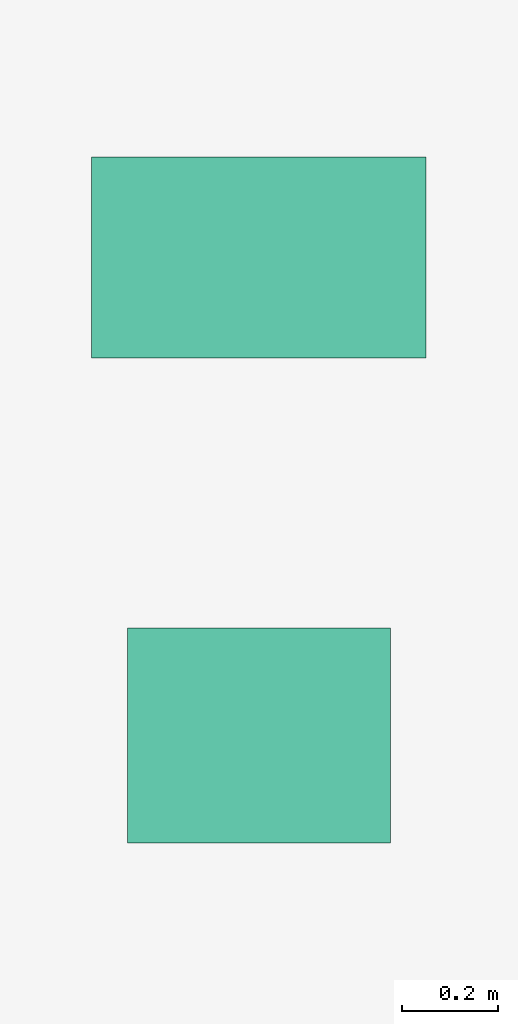
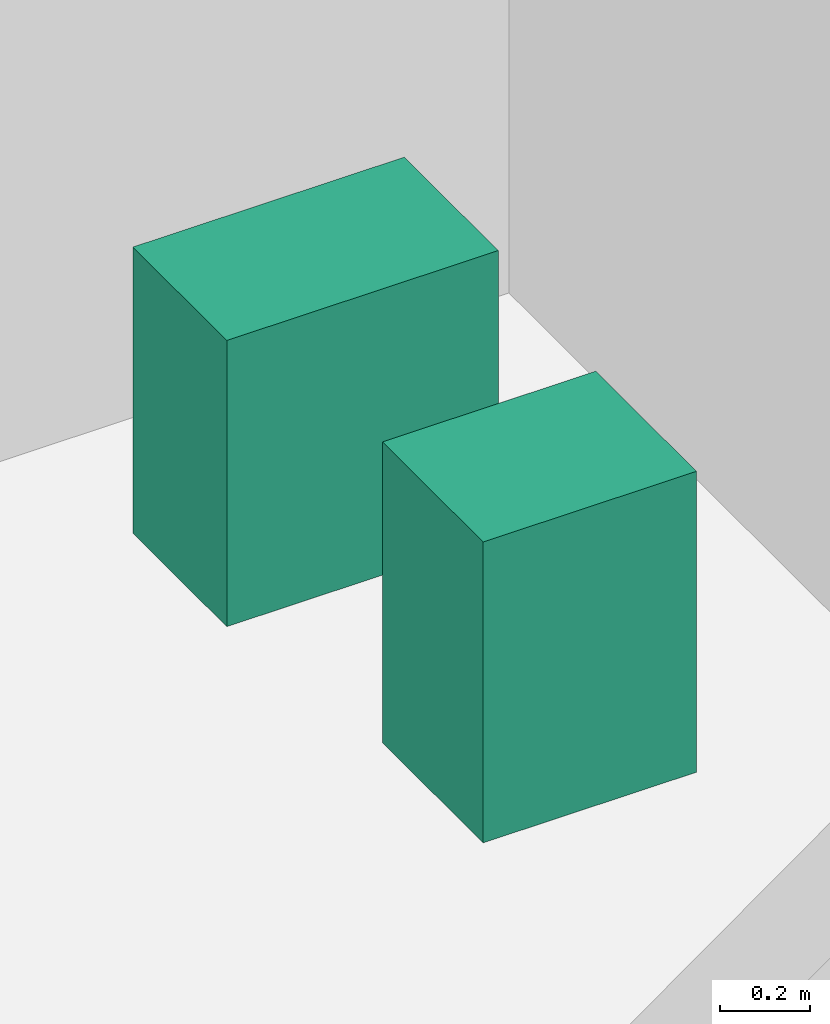
# One storey, part 28 of 28: 2 sanitary terminals.
"""IFC4 building model written with IfcOpenShell, lengths in metres."""

import ifcopenshell
import ifcopenshell.guid

model = None  # the IFC model being written
_history = None  # IfcOwnerHistory: only IFC2X3 demands one
_inside = {}  # id of a spatial element -> (the spatial element, [elements in it])
_under = {}  # id of a project, library or spatial element -> (it, [spatial elements below it])
_declared = {}  # id of a project -> (the project, [libraries it declares])
_typed = {}  # id of a type object -> (the type object, [elements of that type])
_made_of = {}  # id of a material, layer set ... -> (it, [elements and type objects made of it])


def new_model(schema):
    """Start an empty IFC model of exactly this schema.

    Asked for "IFC4X3", IfcOpenShell would pick the latest addendum, in which some entities
    have other attributes; the version numbers below select the first issue.
    IFC2X3 requires an IfcOwnerHistory on every rooted entity: one is made here for all.
    """
    global model, _history
    if schema == "IFC4X3":
        model = ifcopenshell.file(schema_version=(4, 3, 0, 0))
    else:
        model = ifcopenshell.file(schema=schema)
    _inside.clear()
    _under.clear()
    _declared.clear()
    _typed.clear()
    _made_of.clear()
    _history = None
    if model.schema == "IFC2X3":
        org = make("IfcOrganization", Name="unknown")
        user = make(
            "IfcPersonAndOrganization",
            ThePerson=make("IfcPerson", FamilyName="unknown"),
            TheOrganization=org,
        )
        app = make(
            "IfcApplication",
            ApplicationDeveloper=org,
            Version="unknown",
            ApplicationFullName="unknown",
            ApplicationIdentifier="unknown",
        )
        _history = make(
            "IfcOwnerHistory",
            OwningUser=user,
            OwningApplication=app,
            ChangeAction="ADDED",
            CreationDate=0,
        )
    return model


def make(cls, **values):
    """One entity of the class cls with the attributes given. An attribute that is None is left unset."""
    return model.create_entity(
        cls, **{name: value for name, value in values.items() if value is not None}
    )


def rooted(cls, **values):
    """An entity with a GlobalId (a new one), such as an element, a storey or a relation."""
    return make(cls, GlobalId=ifcopenshell.guid.new(), OwnerHistory=_history, **values)


def si_unit(unit_type, name, prefix=None):
    """IfcSIUnit, for example si_unit("LENGTHUNIT", "METRE", prefix="MILLI")."""
    return make("IfcSIUnit", UnitType=unit_type, Prefix=prefix, Name=name)


def assignment(units):
    """IfcUnitAssignment: the units of a project."""
    return None if units is None else make("IfcUnitAssignment", Units=units)


def point(xyz):
    """IfcCartesianPoint."""
    return None if xyz is None else make("IfcCartesianPoint", Coordinates=xyz)


def direction(xyz):
    """IfcDirection."""
    return None if xyz is None else make("IfcDirection", DirectionRatios=xyz)


def frame(location, z_axis=None, x_axis=None):
    """IfcAxis2Placement3D, a coordinate frame: its origin and axes. An axis left out is left unset."""
    return make(
        "IfcAxis2Placement3D",
        Location=point(location),
        Axis=direction(z_axis),
        RefDirection=direction(x_axis),
    )


def frame_2d(location, x_axis=None):
    """IfcAxis2Placement2D, a coordinate frame in the plane: its origin and x axis."""
    return make(
        "IfcAxis2Placement2D", Location=point(location), RefDirection=direction(x_axis)
    )


def origin():
    """The frame at (0, 0, 0) with its axes left unset."""
    return frame((0.0, 0.0, 0.0))


def origin_2d():
    """The frame at (0, 0) in the plane with its x axis left unset."""
    return frame_2d((0.0, 0.0))


def place(relative_to, where):
    """IfcLocalPlacement: puts the frame where relative to a parent placement (None: the world)."""
    return make(
        "IfcLocalPlacement", PlacementRelTo=relative_to, RelativePlacement=where
    )


def context(
    kind, dimensions, precision=None, world=None, true_north=None, identifier=None
):
    """IfcGeometricRepresentationContext, for example the 3D "Model" context."""
    return make(
        "IfcGeometricRepresentationContext",
        ContextIdentifier=identifier,
        ContextType=kind,
        CoordinateSpaceDimension=dimensions,
        Precision=precision,
        WorldCoordinateSystem=world,
        TrueNorth=true_north,
    )


def subcontext(parent, identifier, kind, view, scale=None):
    """IfcGeometricRepresentationSubContext, for example "Body" below "Model"."""
    return make(
        "IfcGeometricRepresentationSubContext",
        ContextIdentifier=identifier,
        ContextType=kind,
        ParentContext=parent,
        TargetScale=scale,
        TargetView=view,
    )


def project(units=None, contexts=None):
    """IfcProject with its units and contexts."""
    return rooted(
        "IfcProject",
        Name="project",
        RepresentationContexts=contexts,
        UnitsInContext=assignment(units),
    )


def spatial(cls, under=None, at=None, **own):
    """A site, building, storey or space (cls), placed at a placement, below another one or the project."""
    s = rooted(cls, ObjectPlacement=at, **own)
    if under is not None:
        _under.setdefault(under.id(), (under, []))[1].append(s)
    return s


def profile(cls, at=None, kind="AREA", **sizes):
    """A parametric profile (cls). Its sizes go by their IFC names, for example OverallWidth=200.0."""
    return make(cls, ProfileType=kind, Position=at, **sizes)


def rectangle(**sizes):
    """IfcRectangleProfileDef."""
    return profile("IfcRectangleProfileDef", **sizes)


def extrude(swept, where, along, depth):
    """IfcExtrudedAreaSolid: the profile swept, set in the frame where, extruded along a direction by depth."""
    return make(
        "IfcExtrudedAreaSolid",
        SweptArea=swept,
        Position=where,
        ExtrudedDirection=direction(along),
        Depth=depth,
    )


def shape(context_of_items, identifier, shape_type, items):
    """IfcShapeRepresentation: the items that make up one representation, for example the "Body"."""
    return make(
        "IfcShapeRepresentation",
        ContextOfItems=context_of_items,
        RepresentationIdentifier=identifier,
        RepresentationType=shape_type,
        Items=items,
    )


def source(mapping_origin, context_of_items, identifier, shape_type, items):
    """IfcRepresentationMap: a shape defined once, which mapped items show again and again."""
    return make(
        "IfcRepresentationMap",
        MappingOrigin=mapping_origin,
        MappedRepresentation=shape(context_of_items, identifier, shape_type, items),
    )


def transform(
    local_origin,
    x_axis=None,
    y_axis=None,
    z_axis=None,
    scale=None,
    scale2=None,
    scale3=None,
    uniform=True,
):
    """IfcCartesianTransformationOperator3D, or its non-uniform kind. x_axis, y_axis, z_axis: its Axis1, 2, 3."""
    if uniform:
        return make(
            "IfcCartesianTransformationOperator3D",
            Axis1=direction(x_axis),
            Axis2=direction(y_axis),
            LocalOrigin=point(local_origin),
            Scale=scale,
            Axis3=direction(z_axis),
        )
    return make(
        "IfcCartesianTransformationOperator3DnonUniform",
        Axis1=direction(x_axis),
        Axis2=direction(y_axis),
        LocalOrigin=point(local_origin),
        Scale=scale,
        Axis3=direction(z_axis),
        Scale2=scale2,
        Scale3=scale3,
    )


def mapped(mapping_source, mapping_target):
    """IfcMappedItem: shows the shape of a source again, moved by a transform."""
    return make(
        "IfcMappedItem", MappingSource=mapping_source, MappingTarget=mapping_target
    )


def material(Name=None, Category=None):
    """IfcMaterial."""
    return make("IfcMaterial", Name=Name, Category=Category)


def made_of(thing, what):
    """Note that an element or type object is made of a material, layer set ...; save() writes the relation."""
    if what is not None:
        _made_of.setdefault(what.id(), (what, []))[1].append(thing)
    return thing


def type_object(cls, material=None, **own):
    """A type object (cls), such as IfcWallType, which elements share."""
    return made_of(rooted(cls, **own), material)


def element(
    cls,
    number,
    at=None,
    inside=None,
    cuts=None,
    type_object=None,
    material=None,
    context=None,
    identifier="Body",
    shape_type=None,
    held_by="IfcProductDefinitionShape",
    body=None,
    shapes=None,
    **own,
):
    """One element of the class cls, such as IfcWall. Its Tag is "e" and its number.

    at: its placement. inside: the storey or other place that contains it. cuts: it is an
    opening in that element (IfcRelVoidsElement). A single representation is given by context,
    identifier, shape_type and body (its items); several are given by shapes. held_by: the class
    of the entity that holds the representations. save() writes the other relations.
    """
    e = rooted(cls, Tag="e%d" % number, ObjectPlacement=at, **own)
    if body is not None:
        shapes = [shape(context, identifier, shape_type, body)]
    if shapes is not None:
        e.Representation = make(held_by, Representations=shapes)
    if inside is not None:
        _inside.setdefault(inside.id(), (inside, []))[1].append(e)
    if cuts is not None:
        rooted(
            "IfcRelVoidsElement", RelatingBuildingElement=cuts, RelatedOpeningElement=e
        )
    if type_object is not None:
        _typed.setdefault(type_object.id(), (type_object, []))[1].append(e)
    return made_of(e, material)


def aggregate(whole, parts):
    """IfcRelAggregates: a whole, such as a stair, and the parts it consists of."""
    return rooted("IfcRelAggregates", RelatingObject=whole, RelatedObjects=parts)


def save(model, path):
    """Write the relations noted so far, then the file.

    IfcRelAggregates (storeys below a building ...), IfcRelContainedInSpatialStructure (elements
    in a storey), IfcRelDefinesByType, IfcRelAssociatesMaterial and IfcRelDeclares: one each for
    every whole, place, type object, material and project.
    """
    for whole, parts in _under.values():
        aggregate(whole, parts)
    for where, things in _inside.values():
        rooted(
            "IfcRelContainedInSpatialStructure",
            RelatedElements=things,
            RelatingStructure=where,
        )
    for kind, things in _typed.values():
        rooted("IfcRelDefinesByType", RelatedObjects=things, RelatingType=kind)
    for what, things in _made_of.values():
        rooted("IfcRelAssociatesMaterial", RelatedObjects=things, RelatingMaterial=what)
    for by, libraries in _declared.values():
        rooted("IfcRelDeclares", RelatingContext=by, RelatedDefinitions=libraries)
    model.write(path)


model = new_model("IFC4")

# Units and contexts
model_context = context("Model", 3, precision=1e-05, world=origin(), true_north=direction((0.0, 1.0)))
body_context = subcontext(model_context, "Body", "Model", "MODEL_VIEW")
ifc_project = project(units=[si_unit("LENGTHUNIT", "METRE"), si_unit("AREAUNIT", "SQUARE_METRE"), si_unit("VOLUMEUNIT", "CUBIC_METRE"), si_unit("PLANEANGLEUNIT", "RADIAN"), si_unit("MASSUNIT", "GRAM", prefix="KILO")], contexts=[model_context])

# Site, building, storey
site_placement = place(None, origin())
site = spatial("IfcSite", under=ifc_project, at=site_placement, CompositionType="ELEMENT")
building_placement = place(site_placement, origin())
building = spatial("IfcBuilding", under=site, at=building_placement, Name="Sumidabori Civic Tower", CompositionType="ELEMENT")
storey_placement = place(building_placement, frame((0.0, 0.0, 210.800048828125)))
storey = spatial("IfcBuildingStorey", under=building, at=storey_placement, Name="L54", CompositionType="ELEMENT", Elevation=210.800048828125)

# Sanitary terminals
ifc_material = material(Name="Vitreous Sanitary Porcelain")
sanitary_terminal_type_1 = type_object("IfcSanitaryTerminalType", Name="SN-WC-1", PredefinedType="TOILETPAN", material=ifc_material)
shared_shape_1 = source(origin(), body_context, "Body", "SweptSolid", [
    extrude(rectangle(XDim=0.699951171875, YDim=0.419921875, at=origin_2d()), origin(), (0.0, 0.0, 1.0), 0.780029296875),
])
sanitary_terminal_1_placement = place(storey_placement, frame((10.800048828125, 21.85009765625, 0.0), z_axis=(0.0, 0.0, 1.0), x_axis=(1.0, 0.0, 0.0)))
element("IfcSanitaryTerminal", 1, at=sanitary_terminal_1_placement, inside=storey, type_object=sanitary_terminal_type_1, Name="Accessible WC Pan L54", PredefinedType="TOILETPAN", context=body_context, shape_type="MappedRepresentation", body=[
    mapped(shared_shape_1, transform((0.0, 0.0, 0.0), x_axis=(1.0, 0.0, 0.0), y_axis=(0.0, 1.0, 0.0), z_axis=(0.0, 0.0, 1.0), scale=1.0)),
])
sanitary_terminal_type_2 = type_object("IfcSanitaryTerminalType", Name="SN-BAS-1", PredefinedType="WASHHANDBASIN", material=ifc_material)
shared_shape_2 = source(origin(), body_context, "Body", "SweptSolid", [
    extrude(rectangle(XDim=0.550048828125, YDim=0.449951171875, at=origin_2d()), origin(), (0.0, 0.0, 1.0), 0.820068359375),
])
sanitary_terminal_2_placement = place(storey_placement, frame((10.800048828125, 20.85009765625, 0.0), z_axis=(0.0, 0.0, 1.0), x_axis=(1.0, 0.0, 0.0)))
element("IfcSanitaryTerminal", 2, at=sanitary_terminal_2_placement, inside=storey, type_object=sanitary_terminal_type_2, Name="Accessible Basin L54", PredefinedType="WASHHANDBASIN", context=body_context, shape_type="MappedRepresentation", body=[
    mapped(shared_shape_2, transform((0.0, 0.0, 0.0), x_axis=(1.0, 0.0, 0.0), y_axis=(0.0, 1.0, 0.0), z_axis=(0.0, 0.0, 1.0), scale=1.0)),
])

save(model, "model.ifc")
